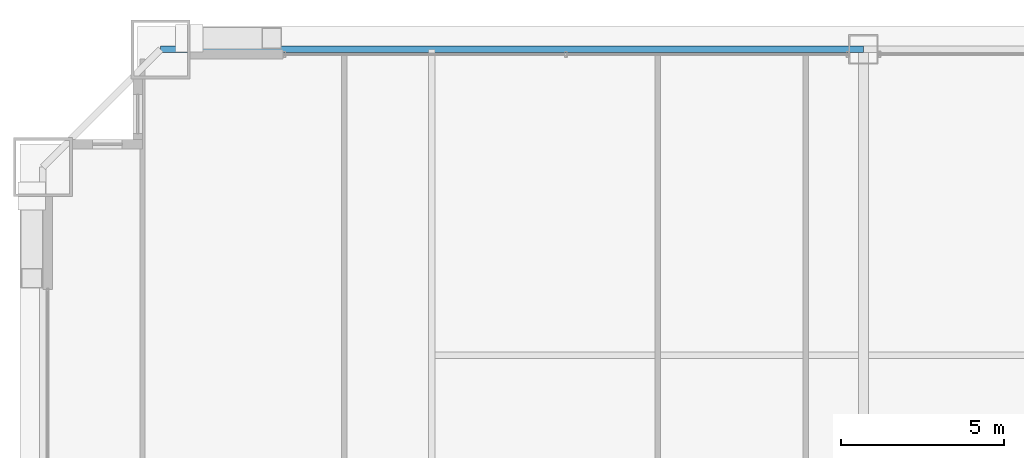
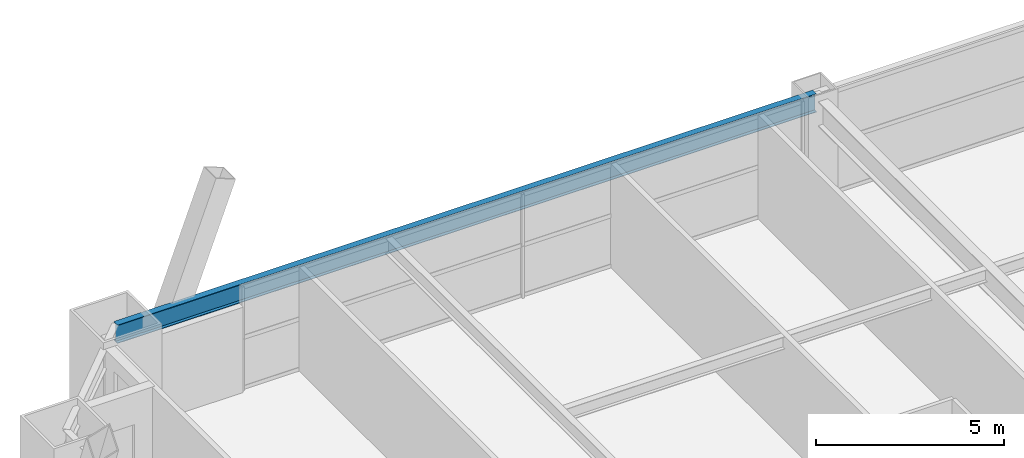
# One storey, part 27 of 43: 1 beam.
"""IFC4 building model written with IfcOpenShell, lengths in metres."""

from ifc_helpers import new_model, si_unit, direction, frame, origin, origin_2d, place, context, subcontext, project, spatial, i_section, extrude, source, transform, mapped, material, material_profile, profile_set, type_object, element, save


model = new_model("IFC4")

# Units and contexts
model_context = context("Model", 3, precision=1e-05, world=origin(), true_north=direction((0.0, 1.0)))
body_context = subcontext(model_context, "Body", "Model", "MODEL_VIEW")
ifc_project = project(units=[si_unit("LENGTHUNIT", "METRE"), si_unit("AREAUNIT", "SQUARE_METRE"), si_unit("VOLUMEUNIT", "CUBIC_METRE"), si_unit("PLANEANGLEUNIT", "RADIAN"), si_unit("MASSUNIT", "GRAM", prefix="KILO"), si_unit("THERMODYNAMICTEMPERATUREUNIT", "KELVIN"), si_unit("POWERUNIT", "WATT")], contexts=[model_context])

# Site, building, storey
site_placement = place(None, origin())
site = spatial("IfcSite", under=ifc_project, at=site_placement, CompositionType="ELEMENT")
building_placement = place(site_placement, origin())
building = spatial("IfcBuilding", under=site, at=building_placement, Name="Yuzanri Waterfront Tower", CompositionType="ELEMENT")
storey_placement = place(building_placement, frame((0.0, 0.0, 67.60009765625)))
storey = spatial("IfcBuildingStorey", under=building, at=storey_placement, Name="L17", CompositionType="ELEMENT", Elevation=67.60009765625)

# Beam
ifc_material = material(Name="Steel Q355B", Category="steel")
ifc_material_profile = material_profile(ifc_material, i_section(OverallWidth=0.199951171875, OverallDepth=0.60009765625, WebThickness=0.010986328125, FlangeThickness=0.01708984375, at=origin_2d()), Name="HN 600x200x11x17")
ifc_profile_set = profile_set([ifc_material_profile], Name="Steel Q355B")
beam_type = type_object("IfcBeamType", Name="Perimeter Spandrel Q355B HN 600x200", PredefinedType="SPANDREL", material=ifc_profile_set)
shared_shape = source(origin(), body_context, "Body", "SweptSolid", [
    extrude(i_section(OverallWidth=0.199951171875, OverallDepth=0.60009765625, WebThickness=0.010986328125, FlangeThickness=0.01708984375, at=origin_2d()), origin(), (0.0, 0.0, 1.0), 21.5),
])
beam_placement = place(storey_placement, frame((37.0, 50.89990234375, 3.079833984375), z_axis=(-1.0, 0.0, 0.0), x_axis=(0.0, -1.0, 0.0)))
element("IfcBeam", 1, at=beam_placement, inside=storey, type_object=beam_type, Name="L17 Perimeter Spandrel N2-N1", PredefinedType="SPANDREL", context=body_context, shape_type="MappedRepresentation", body=[
    mapped(shared_shape, transform((0.0, 0.0, 0.0), scale=1.0)),
])

save(model, "model.ifc")
